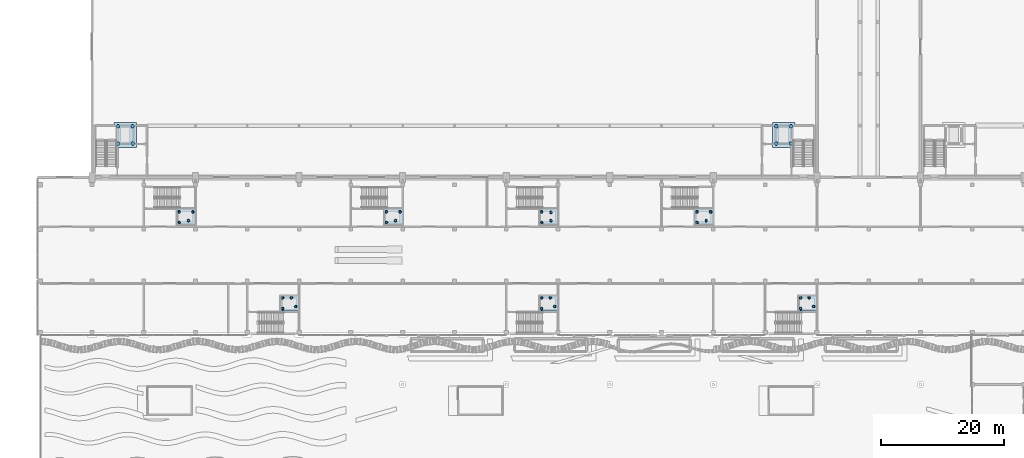
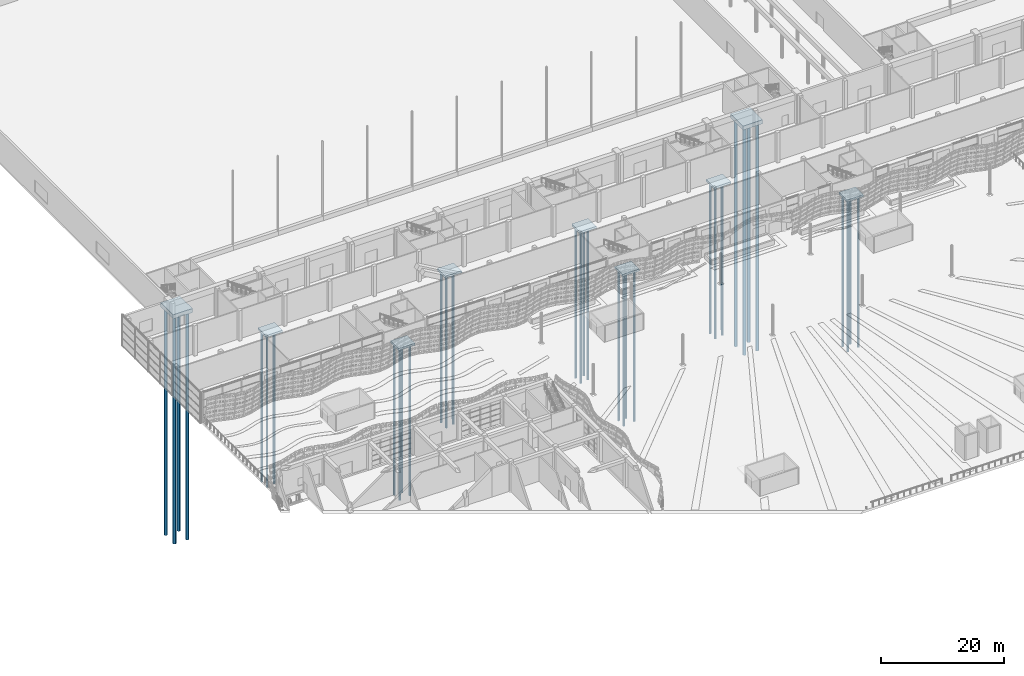
# One storey, part 1 of 210: 36 piles, 9 footings.
"""IFC4 building model written with IfcOpenShell, lengths in metres."""

from ifc_helpers import new_model, si_unit, direction, frame, origin, origin_2d, place, context, subcontext, project, spatial, polyline, circle, outline, extrude, material, material_profile, profile_set, type_object, element, save


model = new_model("IFC4")

# Units and contexts
model_context = context("Model", 3, precision=1e-05, world=origin(), true_north=direction((0.0, 1.0)))
body_context = subcontext(model_context, "Body", "Model", "MODEL_VIEW")
ifc_project = project(units=[si_unit("LENGTHUNIT", "METRE"), si_unit("AREAUNIT", "SQUARE_METRE"), si_unit("VOLUMEUNIT", "CUBIC_METRE"), si_unit("PLANEANGLEUNIT", "RADIAN"), si_unit("MASSUNIT", "GRAM", prefix="KILO")], contexts=[model_context])

# Site, building, storey
site_placement = place(None, origin())
site = spatial("IfcSite", under=ifc_project, at=site_placement, CompositionType="ELEMENT")
building_placement = place(site_placement, origin())
building = spatial("IfcBuilding", under=site, at=building_placement, Name="Rain Tree Exposition and Congress Centre", CompositionType="ELEMENT")
storey_placement = place(building_placement, origin())
storey = spatial("IfcBuildingStorey", under=building, at=storey_placement, Name="L00", CompositionType="ELEMENT", Elevation=0.0)

# Piles
ifc_material_1 = material(Name="Concrete C35/45", Category="concrete")
ifc_material_profile_1 = material_profile(ifc_material_1, circle(Radius=0.199951171875, at=origin_2d()), Name="D400")
ifc_profile_set_1 = profile_set([ifc_material_profile_1], Name="Concrete C35/45")
pile_type_1 = type_object("IfcPileType", Name="Bored pile D400", PredefinedType="BORED", material=ifc_profile_set_1)
for number, where, z_axis, x_axis, name in (
    (1, (39.35009765625, 79.550048828125, -1.800048828125), (0.0, 0.0, -1.0), (1.0, 0.0, 0.0), "Lift C1 pit pile 1"),
    (2, (39.35009765625, 81.25, -1.800048828125), (0.0, 0.0, -1.0), (1.0, 0.0, 0.0), "Lift C1 pit pile 2"),
    (3, (41.449951171875, 79.85009765625, -1.800048828125), (0.0, 0.0, -1.0), (1.0, 0.0, 0.0), "Lift C1 pit pile 3"),
    (4, (40.75, 81.25, -1.800048828125), (0.0, 0.0, -1.0), (1.0, 0.0, 0.0), "Lift C1 pit pile 4"),
    (5, (81.35009765625, 79.550048828125, -1.800048828125), (0.0, 0.0, -1.0), (1.0, 0.0, 0.0), "Lift C2 pit pile 1"),
    (6, (81.35009765625, 81.25, -1.800048828125), (0.0, 0.0, -1.0), (1.0, 0.0, 0.0), "Lift C2 pit pile 2"),
    (7, (83.449951171875, 79.85009765625, -1.800048828125), (0.0, 0.0, -1.0), (1.0, 0.0, 0.0), "Lift C2 pit pile 3"),
    (8, (82.75, 81.25, -1.800048828125), (0.0, 0.0, -1.0), (1.0, 0.0, 0.0), "Lift C2 pit pile 4"),
    (9, (123.35009765625, 79.550048828125, -1.800048828125), (0.0, 0.0, -1.0), (1.0, 0.0, 0.0), "Lift C3 pit pile 1"),
    (10, (123.35009765625, 81.25, -1.800048828125), (0.0, 0.0, -1.0), (1.0, 0.0, 0.0), "Lift C3 pit pile 2"),
    (11, (125.449951171875, 79.85009765625, -1.800048828125), (0.0, 0.0, -1.0), (1.0, 0.0, 0.0), "Lift C3 pit pile 3"),
    (12, (124.75, 81.25, -1.800048828125), (0.0, 0.0, -1.0), (1.0, 0.0, 0.0), "Lift C3 pit pile 4"),
    (13, (22.550048828125, 93.5, -1.800048828125), (0.0, 0.0, -1.0), (1.0, 0.0, 0.0), "Lift C7 pit pile 1"),
    (14, (22.550048828125, 95.199951171875, -1.800048828125), (0.0, 0.0, -1.0), (1.0, 0.0, 0.0), "Lift C7 pit pile 2"),
    (15, (24.050048828125, 93.800048828125, -1.800048828125), (0.0, 0.0, -1.0), (1.0, 0.0, 0.0), "Lift C7 pit pile 3"),
    (16, (24.75, 95.199951171875, -1.800048828125), (0.0, 0.0, -1.0), (1.0, 0.0, 0.0), "Lift C7 pit pile 4"),
    (17, (56.14990234375, 93.5, -1.800048828125), (0.0, 0.0, -1.0), (1.0, 0.0, 0.0), "Lift C8 pit pile 1"),
    (18, (56.14990234375, 95.199951171875, -1.800048828125), (0.0, 0.0, -1.0), (1.0, 0.0, 0.0), "Lift C8 pit pile 2"),
    (19, (57.64990234375, 93.800048828125, -1.800048828125), (0.0, 0.0, -1.0), (1.0, 0.0, 0.0), "Lift C8 pit pile 3"),
    (20, (58.35009765625, 95.199951171875, -1.800048828125), (0.0, 0.0, -1.0), (1.0, 0.0, 0.0), "Lift C8 pit pile 4"),
    (21, (81.35009765625, 93.5, -1.800048828125), (0.0, 0.0, -1.0), (1.0, 0.0, 0.0), "Lift C9 pit pile 1"),
    (22, (81.35009765625, 95.199951171875, -1.800048828125), (0.0, 0.0, -1.0), (1.0, 0.0, 0.0), "Lift C9 pit pile 2"),
    (23, (82.85009765625, 93.800048828125, -1.800048828125), (0.0, 0.0, -1.0), (1.0, 0.0, 0.0), "Lift C9 pit pile 3"),
    (24, (82.85009765625, 95.10009765625, -1.800048828125), (0.0, 0.0, -1.0), (1.0, 0.0, 0.0), "Lift C9 pit pile 4"),
    (25, (106.550048828125, 93.5, -1.800048828125), (0.0, 0.0, -1.0), (1.0, 0.0, 0.0), "Lift C10 pit pile 1"),
    (26, (106.550048828125, 95.199951171875, -1.800048828125), (0.0, 0.0, -1.0), (1.0, 0.0, 0.0), "Lift C10 pit pile 2"),
    (27, (108.050048828125, 93.800048828125, -1.800048828125), (0.0, 0.0, -1.0), (1.0, 0.0, 0.0), "Lift C10 pit pile 3"),
    (28, (108.75, 95.199951171875, -1.800048828125), (0.0, 0.0, -1.0), (1.0, 0.0, 0.0), "Lift C10 pit pile 4"),
):
    element("IfcPile", number, at=place(storey_placement, frame(where, z_axis=z_axis, x_axis=x_axis)), inside=storey, type_object=pile_type_1, Name=name, PredefinedType="BORED", context=body_context, shape_type="SweptSolid", body=[
        extrude(circle(Radius=0.199951171875, at=origin_2d()), origin(), (0.0, 0.0, 1.0), 30.0),
    ])

# Footings
ifc_material_2 = material(Name="Concrete C40/50", Category="concrete")
footing_type_1 = type_object("IfcFootingType", Name="Concourse lift pit raft 400", PredefinedType="PAD_FOOTING", material=ifc_material_2)
footing_1_placement = place(storey_placement, frame((0.0, 0.0, -1.800048828125)))
element("IfcFooting", 29, at=footing_1_placement, inside=storey, type_object=footing_type_1, Name="Lift C1 pit raft", PredefinedType="PAD_FOOTING", context=body_context, shape_type="SweptSolid", body=[
    extrude(outline(polyline([(38.89990234375, 79.10009765625), (42.0, 79.10009765625), (42.0, 81.699951171875), (38.89990234375, 81.699951171875), (38.89990234375, 79.10009765625)])), origin(), (0.0, 0.0, 1.0), 0.400146484375),
])
footing_2_placement = place(storey_placement, frame((0.0, 0.0, -1.800048828125)))
element("IfcFooting", 30, at=footing_2_placement, inside=storey, type_object=footing_type_1, Name="Lift C2 pit raft", PredefinedType="PAD_FOOTING", context=body_context, shape_type="SweptSolid", body=[
    extrude(outline(polyline([(80.89990234375, 79.10009765625), (84.0, 79.10009765625), (84.0, 81.699951171875), (80.89990234375, 81.699951171875), (80.89990234375, 79.10009765625)])), origin(), (0.0, 0.0, 1.0), 0.400146484375),
])
footing_3_placement = place(storey_placement, frame((0.0, 0.0, -1.800048828125)))
element("IfcFooting", 31, at=footing_3_placement, inside=storey, type_object=footing_type_1, Name="Lift C3 pit raft", PredefinedType="PAD_FOOTING", context=body_context, shape_type="SweptSolid", body=[
    extrude(outline(polyline([(122.89990234375, 79.10009765625), (126.0, 79.10009765625), (126.0, 81.699951171875), (122.89990234375, 81.699951171875), (122.89990234375, 79.10009765625)])), origin(), (0.0, 0.0, 1.0), 0.400146484375),
])
footing_4_placement = place(storey_placement, frame((0.0, 0.0, -1.800048828125)))
element("IfcFooting", 32, at=footing_4_placement, inside=storey, type_object=footing_type_1, Name="Lift C7 pit raft", PredefinedType="PAD_FOOTING", context=body_context, shape_type="SweptSolid", body=[
    extrude(outline(polyline([(22.10009765625, 93.050048828125), (25.199951171875, 93.050048828125), (25.199951171875, 95.64990234375), (22.10009765625, 95.64990234375), (22.10009765625, 93.050048828125)])), origin(), (0.0, 0.0, 1.0), 0.400146484375),
])
footing_5_placement = place(storey_placement, frame((0.0, 0.0, -1.800048828125)))
element("IfcFooting", 33, at=footing_5_placement, inside=storey, type_object=footing_type_1, Name="Lift C8 pit raft", PredefinedType="PAD_FOOTING", context=body_context, shape_type="SweptSolid", body=[
    extrude(outline(polyline([(55.699951171875, 93.050048828125), (58.800048828125, 93.050048828125), (58.800048828125, 95.64990234375), (55.699951171875, 95.64990234375), (55.699951171875, 93.050048828125)])), origin(), (0.0, 0.0, 1.0), 0.400146484375),
])
footing_6_placement = place(storey_placement, frame((0.0, 0.0, -1.800048828125)))
element("IfcFooting", 34, at=footing_6_placement, inside=storey, type_object=footing_type_1, Name="Lift C9 pit raft", PredefinedType="PAD_FOOTING", context=body_context, shape_type="SweptSolid", body=[
    extrude(outline(polyline([(80.89990234375, 93.050048828125), (84.0, 93.050048828125), (84.0, 95.64990234375), (80.89990234375, 95.64990234375), (80.89990234375, 93.050048828125)])), origin(), (0.0, 0.0, 1.0), 0.400146484375),
])
footing_7_placement = place(storey_placement, frame((0.0, 0.0, -1.800048828125)))
element("IfcFooting", 35, at=footing_7_placement, inside=storey, type_object=footing_type_1, Name="Lift C10 pit raft", PredefinedType="PAD_FOOTING", context=body_context, shape_type="SweptSolid", body=[
    extrude(outline(polyline([(106.10009765625, 93.050048828125), (109.199951171875, 93.050048828125), (109.199951171875, 95.64990234375), (106.10009765625, 95.64990234375), (106.10009765625, 93.050048828125)])), origin(), (0.0, 0.0, 1.0), 0.400146484375),
])

# Piles
ifc_material_3 = material(Name="Concrete C35/45", Category="concrete")
ifc_material_profile_2 = material_profile(ifc_material_3, circle(Radius=0.300048828125, at=origin_2d()), Name="D600")
ifc_profile_set_2 = profile_set([ifc_material_profile_2], Name="Concrete C35/45")
pile_type_2 = type_object("IfcPileType", Name="Lift pit bored pile D600", PredefinedType="BORED", material=ifc_profile_set_2)
for number, where, z_axis, x_axis, name in (
    (36, (12.60009765625, 106.300048828125, -2.199951171875), (0.0, 0.0, -1.0), (1.0, 0.0, 0.0), "Lift pit pile 1.1"),
    (37, (12.60009765625, 109.10009765625, -2.199951171875), (0.0, 0.0, -1.0), (1.0, 0.0, 0.0), "Lift pit pile 1.2"),
    (38, (15.0, 106.300048828125, -2.199951171875), (0.0, 0.0, -1.0), (1.0, 0.0, 0.0), "Lift pit pile 1.3"),
    (39, (15.0, 109.10009765625, -2.199951171875), (0.0, 0.0, -1.0), (1.0, 0.0, 0.0), "Lift pit pile 1.4"),
    (40, (119.39990234375, 106.300048828125, -2.199951171875), (0.0, 0.0, -1.0), (1.0, 0.0, 0.0), "Lift pit pile 2.1"),
    (41, (119.39990234375, 109.10009765625, -2.199951171875), (0.0, 0.0, -1.0), (1.0, 0.0, 0.0), "Lift pit pile 2.2"),
    (42, (121.800048828125, 106.300048828125, -2.199951171875), (0.0, 0.0, -1.0), (1.0, 0.0, 0.0), "Lift pit pile 2.3"),
    (43, (121.800048828125, 109.10009765625, -2.199951171875), (0.0, 0.0, -1.0), (1.0, 0.0, 0.0), "Lift pit pile 2.4"),
):
    element("IfcPile", number, at=place(storey_placement, frame(where, z_axis=z_axis, x_axis=x_axis)), inside=storey, type_object=pile_type_2, Name=name, PredefinedType="BORED", context=body_context, shape_type="SweptSolid", body=[
        extrude(circle(Radius=0.300048828125, at=origin_2d()), origin(), (0.0, 0.0, 1.0), 45.0),
    ])

# Footings
ifc_material_4 = material(Name="Concrete C35/45", Category="concrete")
footing_type_2 = type_object("IfcFootingType", Name="Lift pit raft cap 800 thick", PredefinedType="PILE_CAP", material=ifc_material_4)
footing_8_placement = place(storey_placement, frame((0.0, 0.0, -2.199951171875)))
element("IfcFooting", 44, at=footing_8_placement, inside=storey, type_object=footing_type_2, Name="Lift pit raft cap 1", PredefinedType="PILE_CAP", context=body_context, shape_type="SweptSolid", body=[
    extrude(outline(polyline([(11.97509765625, 105.675048828125), (15.625, 105.675048828125), (15.625, 109.72509765625), (11.97509765625, 109.72509765625), (11.97509765625, 105.675048828125)])), origin(), (0.0, 0.0, 1.0), 0.800048828125),
])
footing_9_placement = place(storey_placement, frame((0.0, 0.0, -2.199951171875)))
element("IfcFooting", 45, at=footing_9_placement, inside=storey, type_object=footing_type_2, Name="Lift pit raft cap 2", PredefinedType="PILE_CAP", context=body_context, shape_type="SweptSolid", body=[
    extrude(outline(polyline([(118.77490234375, 105.675048828125), (122.425048828125, 105.675048828125), (122.425048828125, 109.72509765625), (118.77490234375, 109.72509765625), (118.77490234375, 105.675048828125)])), origin(), (0.0, 0.0, 1.0), 0.800048828125),
])

save(model, "model.ifc")
